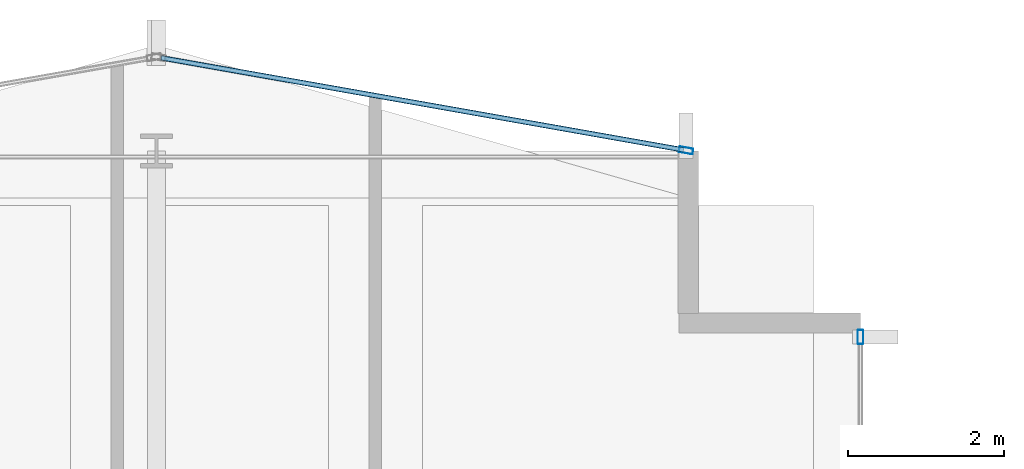
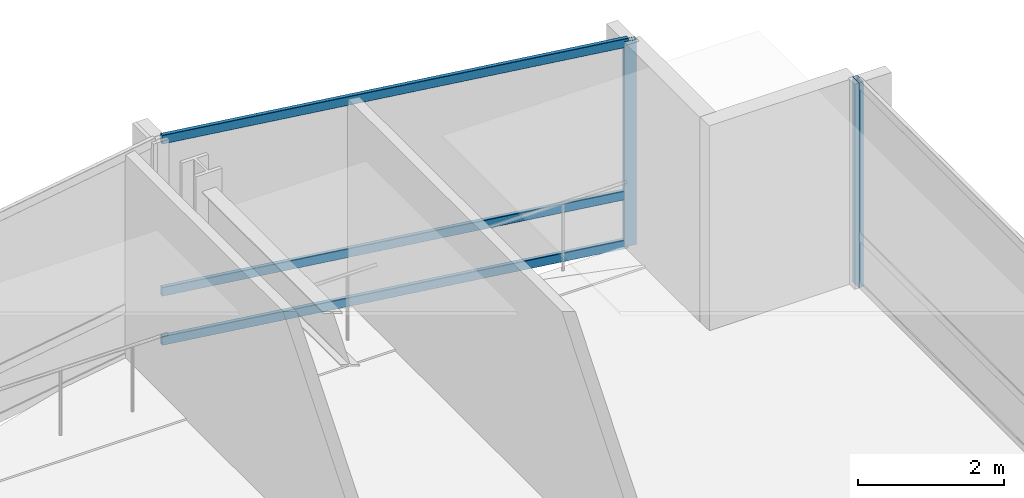
# One storey, part 20 of 29: 5 members, 2 elements without a shape of their own.
"""IFC4 building model written with IfcOpenShell, lengths in metres."""

from ifc_helpers import new_model, si_unit, direction, frame, origin, origin_2d, place, context, subcontext, project, spatial, hollow_rectangle, extrude, material, layer, layer_set, material_profile, profile_set, type_object, element, aggregate, save


model = new_model("IFC4")

# Units and contexts
model_context = context("Model", 3, precision=1e-05, world=origin(), true_north=direction((0.0, 1.0)))
body_context = subcontext(model_context, "Body", "Model", "MODEL_VIEW")
ifc_project = project(units=[si_unit("LENGTHUNIT", "METRE"), si_unit("AREAUNIT", "SQUARE_METRE"), si_unit("VOLUMEUNIT", "CUBIC_METRE"), si_unit("PLANEANGLEUNIT", "RADIAN"), si_unit("MASSUNIT", "GRAM", prefix="KILO")], contexts=[model_context])

# Site, building, storey
site_placement = place(None, origin())
site = spatial("IfcSite", under=ifc_project, at=site_placement, CompositionType="ELEMENT")
building_placement = place(site_placement, origin())
building = spatial("IfcBuilding", under=site, at=building_placement, Name="Solvaryn Broadcast Tower", CompositionType="ELEMENT")
storey_placement = place(building_placement, frame((0.0, 0.0, 147.0)))
storey = spatial("IfcBuildingStorey", under=building, at=storey_placement, Name="L36", CompositionType="ELEMENT", Elevation=147.0)

# Curtain wall, member
ifc_material_1 = material(Name="Aluminium and Terracotta Unitised Curtain Wall", Category="masonry")
ifc_layer = layer(ifc_material_1, 0.199951171875)
ifc_layer_set = layer_set([ifc_layer], Name="CW-SYS2-LOWMID")
curtain_wall_type = type_object("IfcCurtainWallType", Name="CW-SYS2-LOWMID", PredefinedType="NOTDEFINED", material=ifc_layer_set)
curtain_wall_1_placement = place(storey_placement, origin())
curtain_wall_1 = element("IfcCurtainWall", 1, at=curtain_wall_1_placement, inside=storey, type_object=curtain_wall_type, Name="L36 Curtain Wall IV", PredefinedType="NOTDEFINED")
ifc_material_2 = material(Name="Anodised Aluminium 6063-T6", Category="aluminium")
ifc_material_profile_1 = material_profile(ifc_material_2, hollow_rectangle(XDim=0.074951171875, YDim=0.179931640625, WallThickness=0.00390625, InnerFilletRadius=0.00390625, OuterFilletRadius=0.008056640625, at=origin_2d()))
ifc_profile_set_1 = profile_set([ifc_material_profile_1], Name="Anodised Aluminium 6063-T6")
member_type_1 = type_object("IfcMemberType", Name="CW-MUL-180", PredefinedType="MULLION", material=ifc_profile_set_1)
member_1_placement = place(storey_placement, frame((27.0, 51.6201171875, 0.0), z_axis=(0.0, 0.0, 1.0), x_axis=(1.0, 0.0, 0.0)))
member_1 = element("IfcMember", 2, at=member_1_placement, type_object=member_type_1, Name="CWS2 mullion 1", PredefinedType="MULLION", context=body_context, shape_type="SweptSolid", body=[
    extrude(hollow_rectangle(XDim=0.074951171875, YDim=0.179931640625, WallThickness=0.00390625, InnerFilletRadius=0.00390625, OuterFilletRadius=0.008056640625, at=origin_2d()), origin(), (0.0, 0.0, 1.0), 3.419921875),
])
aggregate(curtain_wall_1, [member_1])

# Curtain wall, members
curtain_wall_2_placement = place(storey_placement, origin())
curtain_wall_2 = element("IfcCurtainWall", 3, at=curtain_wall_2_placement, inside=storey, type_object=curtain_wall_type, Name="L36 Curtain Wall NT1", PredefinedType="NOTDEFINED")
member_2_placement = place(storey_placement, frame((24.7705078125, 54.005126953125, 0.0), z_axis=(0.0, 0.0, 1.0), x_axis=(-0.173785333901, -0.984783558819, 0.0)))
member_2 = element("IfcMember", 4, at=member_2_placement, type_object=member_type_1, Name="CWS2 mullion 1", PredefinedType="MULLION", context=body_context, shape_type="SweptSolid", body=[
    extrude(hollow_rectangle(XDim=0.074951171875, YDim=0.179931640625, WallThickness=0.00390625, InnerFilletRadius=0.00390625, OuterFilletRadius=0.008056640625, at=origin_2d()), origin(), (0.0, 0.0, 1.0), 3.419921875),
])
ifc_material_3 = material(Name="Anodised Aluminium 6063-T6", Category="aluminium")
ifc_material_profile_2 = material_profile(ifc_material_3, hollow_rectangle(XDim=0.06494140625, YDim=0.14990234375, WallThickness=0.00390625, InnerFilletRadius=0.00390625, OuterFilletRadius=0.008056640625, at=origin_2d()))
ifc_profile_set_2 = profile_set([ifc_material_profile_2], Name="Anodised Aluminium 6063-T6")
member_type_2 = type_object("IfcMemberType", Name="CW-TRN-150", PredefinedType="USERDEFINED", material=ifc_profile_set_2)
member_3_placement = place(storey_placement, frame((24.740966796875, 54.010498046875, 0.030029296875), z_axis=(-0.984788629673, 0.173756596613, 0.0), x_axis=(-0.173756596613, -0.984788629673, 0.0)))
member_3 = element("IfcMember", 5, at=member_3_placement, type_object=member_type_2, Name="CWS2 transom 1.1", ObjectType="TRANSOM", PredefinedType="USERDEFINED", context=body_context, shape_type="SweptSolid", body=[
    extrude(hollow_rectangle(XDim=0.06494140625, YDim=0.14990234375, WallThickness=0.00390625, InnerFilletRadius=0.00390625, OuterFilletRadius=0.008056640625, at=origin_2d()), origin(), (0.0, 0.0, 1.0), 6.78515625),
])
member_4_placement = place(storey_placement, frame((24.740966796875, 54.010498046875, 0.85009765625), z_axis=(-0.984788629673, 0.173756596613, 0.0), x_axis=(-0.173756596613, -0.984788629673, 0.0)))
member_4 = element("IfcMember", 6, at=member_4_placement, type_object=member_type_2, Name="CWS2 transom 1.2", ObjectType="TRANSOM", PredefinedType="USERDEFINED", context=body_context, shape_type="SweptSolid", body=[
    extrude(hollow_rectangle(XDim=0.06494140625, YDim=0.14990234375, WallThickness=0.00390625, InnerFilletRadius=0.00390625, OuterFilletRadius=0.008056640625, at=origin_2d()), origin(), (0.0, 0.0, 1.0), 6.78515625),
])
member_5_placement = place(storey_placement, frame((24.740966796875, 54.010498046875, 3.389892578125), z_axis=(-0.984788629673, 0.173756596613, 0.0), x_axis=(-0.173756596613, -0.984788629673, 0.0)))
member_5 = element("IfcMember", 7, at=member_5_placement, type_object=member_type_2, Name="CWS2 transom 1.3", ObjectType="TRANSOM", PredefinedType="USERDEFINED", context=body_context, shape_type="SweptSolid", body=[
    extrude(hollow_rectangle(XDim=0.06494140625, YDim=0.14990234375, WallThickness=0.00390625, InnerFilletRadius=0.00390625, OuterFilletRadius=0.008056640625, at=origin_2d()), origin(), (0.0, 0.0, 1.0), 6.78515625),
])
aggregate(curtain_wall_2, [member_2, member_3, member_4, member_5])

save(model, "model.ifc")
